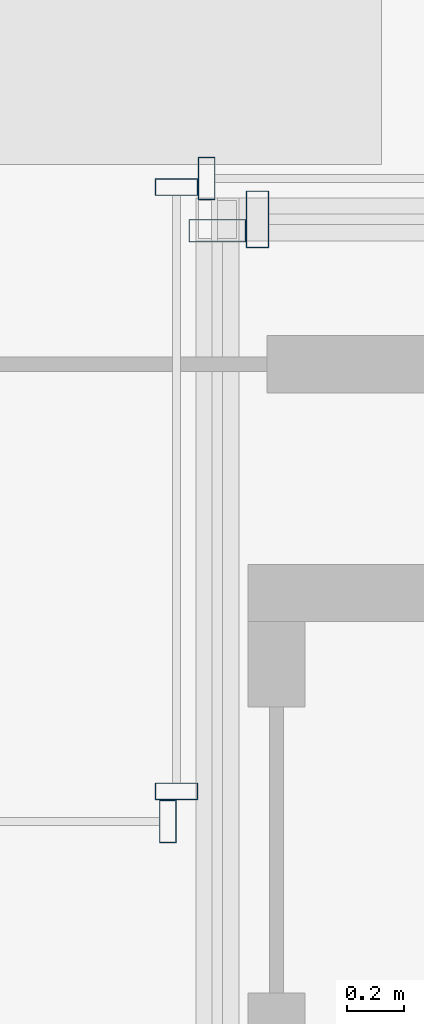
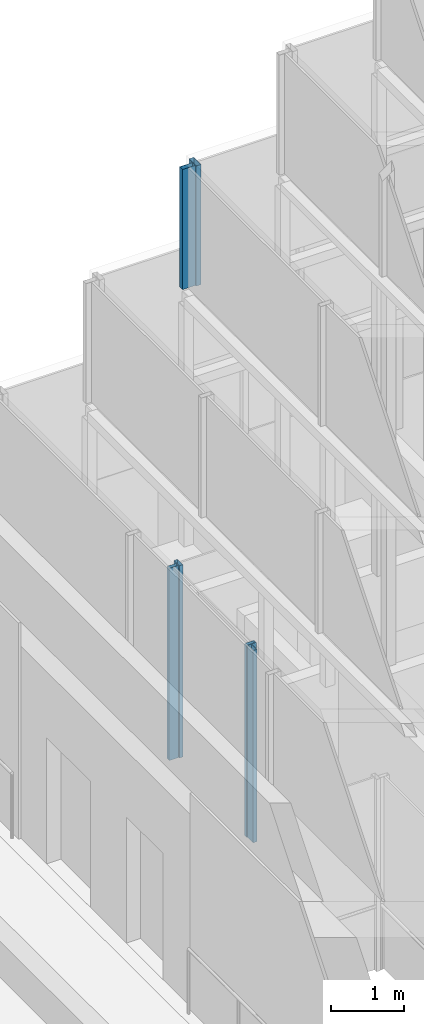
# One storey, part 45 of 62: 6 members, 5 elements without a shape of their own.
"""IFC4 building model written with IfcOpenShell, lengths in metres."""

from ifc_helpers import new_model, si_unit, direction, frame, origin, origin_2d, place, context, subcontext, project, spatial, hollow_rectangle, extrude, material, material_profile, profile_set, type_object, element, aggregate, save


model = new_model("IFC4")

# Units and contexts
model_context = context("Model", 3, precision=1e-05, world=origin(), true_north=direction((0.0, 1.0)))
body_context = subcontext(model_context, "Body", "Model", "MODEL_VIEW")
ifc_project = project(units=[si_unit("LENGTHUNIT", "METRE"), si_unit("AREAUNIT", "SQUARE_METRE"), si_unit("VOLUMEUNIT", "CUBIC_METRE"), si_unit("PLANEANGLEUNIT", "RADIAN"), si_unit("MASSUNIT", "GRAM", prefix="KILO")], contexts=[model_context])

# Site, building, storey
site_placement = place(None, origin())
site = spatial("IfcSite", under=ifc_project, at=site_placement, CompositionType="ELEMENT")
building_placement = place(site_placement, origin())
building = spatial("IfcBuilding", under=site, at=building_placement, Name="Altepetl Exchange Towers", CompositionType="ELEMENT")
storey_placement = place(building_placement, frame((0.0, 0.0, 210.0)))
storey = spatial("IfcBuildingStorey", under=building, at=storey_placement, Name="L53", CompositionType="ELEMENT", Elevation=210.0)

# Curtain wall, member
ifc_material_1 = material(Name="Aluminium 6063-T6 glazing", Category="aluminium")
curtain_wall_type_1 = type_object("IfcCurtainWallType", Name="Loggia glazing system", PredefinedType="NOTDEFINED", material=ifc_material_1)
curtain_wall_1_placement = place(storey_placement, origin())
curtain_wall_1 = element("IfcCurtainWall", 1, at=curtain_wall_1_placement, inside=storey, type_object=curtain_wall_type_1, Name="CW1 run", PredefinedType="NOTDEFINED")
ifc_material_2 = material(Name="Aluminium 6063-T6", Category="aluminium")
ifc_material_profile_1 = material_profile(ifc_material_2, hollow_rectangle(XDim=0.06005859375, YDim=0.14990234375, WallThickness=0.0029296875, at=origin_2d()), Name="Mullion 60x150 aluminium")
ifc_profile_set_1 = profile_set([ifc_material_profile_1], Name="Aluminium 6063-T6")
member_type_1 = type_object("IfcMemberType", Name="Mullion 60x150 aluminium", PredefinedType="MULLION", material=ifc_profile_set_1)
member_1_placement = place(storey_placement, frame((106.35498046875, 46.75, 0.0), z_axis=(0.0, 0.0, 1.0), x_axis=(-1.0, 0.0, 0.0)))
member_1 = element("IfcMember", 2, at=member_1_placement, type_object=member_type_1, Name="MU1 mullion", PredefinedType="MULLION", context=body_context, shape_type="SweptSolid", body=[
    extrude(hollow_rectangle(XDim=0.06005859375, YDim=0.14990234375, WallThickness=0.0029296875, at=origin_2d()), origin(), (0.0, 0.0, 1.0), 3.199951171875),
])
aggregate(curtain_wall_1, [member_1])

# Curtain wall, members
curtain_wall_2_placement = place(storey_placement, origin())
curtain_wall_2 = element("IfcCurtainWall", 3, at=curtain_wall_2_placement, inside=storey, type_object=curtain_wall_type_1, Name="CW1 run", PredefinedType="NOTDEFINED")
member_2_placement = place(storey_placement, frame((106.25, 46.719970703125, 0.0), z_axis=(0.0, 0.0, 1.0), x_axis=(0.0, -1.0, 0.0)))
member_2 = element("IfcMember", 4, at=member_2_placement, type_object=member_type_1, Name="MU1 mullion", PredefinedType="MULLION", context=body_context, shape_type="SweptSolid", body=[
    extrude(hollow_rectangle(XDim=0.06005859375, YDim=0.14990234375, WallThickness=0.0029296875, at=origin_2d()), origin(), (0.0, 0.0, 1.0), 3.199951171875),
])
member_3_placement = place(storey_placement, frame((106.25, 44.60498046875, 0.0), z_axis=(0.0, 0.0, 1.0), x_axis=(0.0, -1.0, 0.0)))
member_3 = element("IfcMember", 5, at=member_3_placement, type_object=member_type_1, Name="MU1 mullion", PredefinedType="MULLION", context=body_context, shape_type="SweptSolid", body=[
    extrude(hollow_rectangle(XDim=0.06005859375, YDim=0.14990234375, WallThickness=0.0029296875, at=origin_2d()), origin(), (0.0, 0.0, 1.0), 3.199951171875),
])
aggregate(curtain_wall_2, [member_2, member_3])

# Curtain wall, member
curtain_wall_3_placement = place(storey_placement, origin())
curtain_wall_3 = element("IfcCurtainWall", 6, at=curtain_wall_3_placement, inside=storey, type_object=curtain_wall_type_1, Name="CW1 run", PredefinedType="NOTDEFINED")
member_4_placement = place(storey_placement, frame((106.219970703125, 44.5, 0.0), z_axis=(0.0, 0.0, 1.0), x_axis=(-1.0, 0.0, 0.0)))
member_4 = element("IfcMember", 7, at=member_4_placement, type_object=member_type_1, Name="MU1 mullion", PredefinedType="MULLION", context=body_context, shape_type="SweptSolid", body=[
    extrude(hollow_rectangle(XDim=0.06005859375, YDim=0.14990234375, WallThickness=0.0029296875, at=origin_2d()), origin(), (0.0, 0.0, 1.0), 3.199951171875),
])
aggregate(curtain_wall_3, [member_4])

curtain_wall_type_2 = type_object("IfcCurtainWallType", Name="Crown glazing system", PredefinedType="NOTDEFINED", material=ifc_material_1)
curtain_wall_4_placement = place(storey_placement, origin())
curtain_wall_4 = element("IfcCurtainWall", 8, at=curtain_wall_4_placement, inside=storey, type_object=curtain_wall_type_2, Name="CW7 run", PredefinedType="NOTDEFINED")
ifc_material_profile_2 = material_profile(ifc_material_2, hollow_rectangle(XDim=0.080078125, YDim=0.199951171875, WallThickness=0.0029296875, at=origin_2d()), Name="Mullion 80x200 hollow aluminium")
ifc_profile_set_2 = profile_set([ifc_material_profile_2], Name="Aluminium 6063-T6")
member_type_2 = type_object("IfcMemberType", Name="Mullion 80x200 hollow aluminium", PredefinedType="MULLION", material=ifc_profile_set_2)
member_5_placement = place(storey_placement, frame((106.532958984375, 46.607177734375, 7.89990234375), z_axis=(0.0, 0.0, 1.0), x_axis=(-1.0, 0.0, 0.0)))
member_5 = element("IfcMember", 9, at=member_5_placement, type_object=member_type_2, Name="MU5 mullion", PredefinedType="MULLION", context=body_context, shape_type="SweptSolid", body=[
    extrude(hollow_rectangle(XDim=0.080078125, YDim=0.199951171875, WallThickness=0.0029296875, at=origin_2d()), origin(), (0.0, 0.0, 1.0), 2.0),
])
aggregate(curtain_wall_4, [member_5])

curtain_wall_5_placement = place(storey_placement, origin())
curtain_wall_5 = element("IfcCurtainWall", 10, at=curtain_wall_5_placement, inside=storey, type_object=curtain_wall_type_2, Name="CW7 run", PredefinedType="NOTDEFINED")
member_6_placement = place(storey_placement, frame((106.392822265625, 46.567138671875, 7.89990234375), z_axis=(0.0, 0.0, 1.0), x_axis=(0.0, -1.0, 0.0)))
member_6 = element("IfcMember", 11, at=member_6_placement, type_object=member_type_2, Name="MU5 mullion", PredefinedType="MULLION", context=body_context, shape_type="SweptSolid", body=[
    extrude(hollow_rectangle(XDim=0.080078125, YDim=0.199951171875, WallThickness=0.0029296875, at=origin_2d()), origin(), (0.0, 0.0, 1.0), 2.0),
])
aggregate(curtain_wall_5, [member_6])

save(model, "model.ifc")
